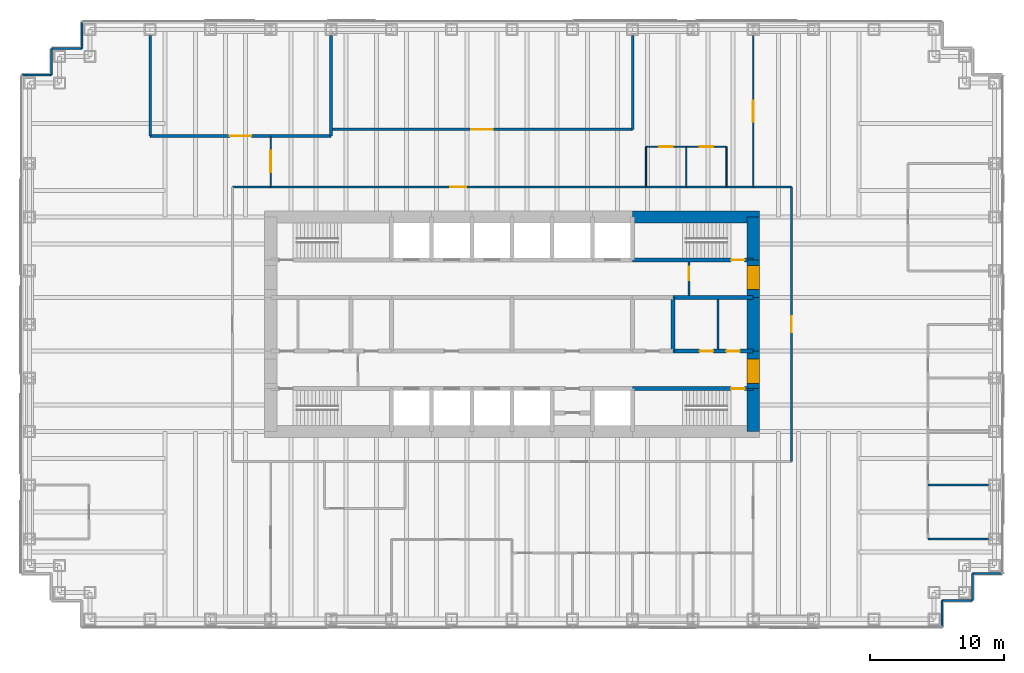
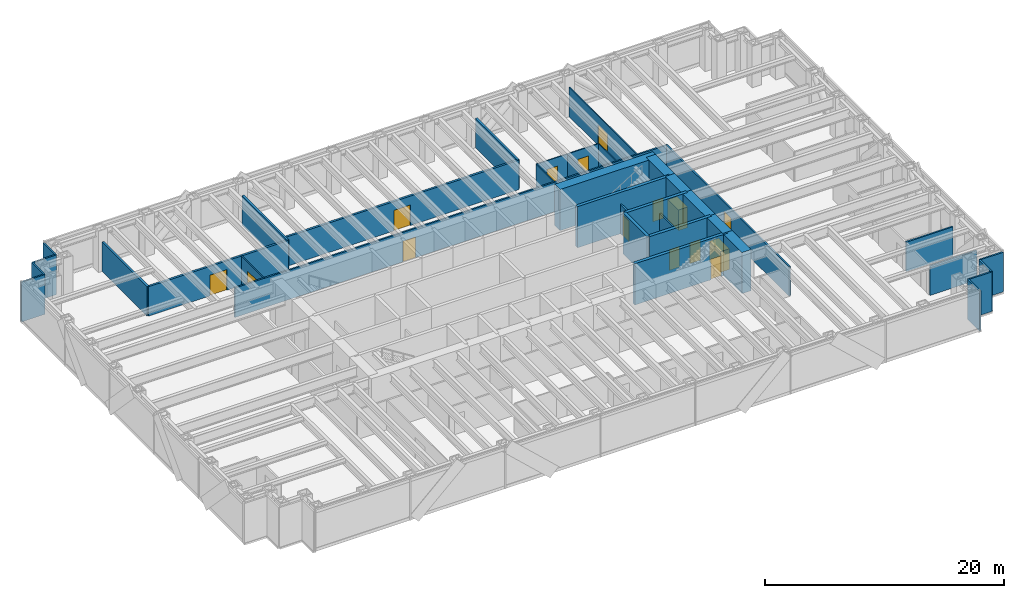
# One storey, part 13 of 15: 36 walls, 15 doors, 15 openings.
"""IFC4 building model written with IfcOpenShell, lengths in metres."""

from ifc_helpers import new_model, si_unit, direction, frame, frame_2d, origin, place, context, subcontext, project, spatial, rectangle, extrude, material, layer, layer_set, type_object, element, fill, save


model = new_model("IFC4")

# Units and contexts
model_context = context("Model", 3, precision=1e-05, world=origin(), true_north=direction((0.0, 1.0)))
body_context = subcontext(model_context, "Body", "Model", "MODEL_VIEW")
ifc_project = project(units=[si_unit("LENGTHUNIT", "METRE"), si_unit("AREAUNIT", "SQUARE_METRE"), si_unit("VOLUMEUNIT", "CUBIC_METRE"), si_unit("PLANEANGLEUNIT", "RADIAN"), si_unit("MASSUNIT", "GRAM", prefix="KILO")], contexts=[model_context])

# Site, building, storey
site_placement = place(None, origin())
site = spatial("IfcSite", under=ifc_project, at=site_placement, CompositionType="ELEMENT")
building_placement = place(site_placement, origin())
building = spatial("IfcBuilding", under=site, at=building_placement, Name="Rheinbord Bourse Tower", CompositionType="ELEMENT")
storey_placement = place(building_placement, frame((0.0, 0.0, 134.10009765625)))
storey = spatial("IfcBuildingStorey", under=building, at=storey_placement, Name="L29", CompositionType="ELEMENT", Elevation=134.10009765625)

# Wall, opening, door
ifc_material_1 = material(Name="Acoustic gypsum board partition", Category="gypsum board")
ifc_layer_1 = layer(ifc_material_1, 0.199951171875)
ifc_layer_set_1 = layer_set([ifc_layer_1], Name="ACOUSTIC PARTITION 200")
wall_type_1 = type_object("IfcWallType", Name="ACOUSTIC PARTITION 200", PredefinedType="PARTITIONING", material=ifc_layer_set_1)
wall_1_placement = place(storey_placement, frame((9.0, 38.050048828125, 0.0), z_axis=(0.0, 0.0, 1.0), x_axis=(1.0, 0.0, 0.0)))
wall_1 = element("IfcWall", 1, at=wall_1_placement, inside=storey, type_object=wall_type_1, Name="Partition L29-18", PredefinedType="PARTITIONING", context=body_context, shape_type="SweptSolid", body=[
    extrude(rectangle(XDim=13.5, YDim=0.199951171875, at=frame_2d((6.75, 0.0))), origin(), (0.0, 0.0, 1.0), 3.0),
])
opening_1_placement = place(wall_1_placement, frame((5.949951171875, 0.0, 0.0)))
opening_1 = element("IfcOpeningElement", 2, at=opening_1_placement, cuts=wall_1, Name="Opening 29D15", PredefinedType="OPENING", context=body_context, shape_type="SweptSolid", body=[
    extrude(rectangle(XDim=1.60009765625, YDim=2.10009765625, at=frame_2d((0.800048828125, 1.050048828125))), frame((0.0, 0.10986328125, 0.0), z_axis=(0.0, -1.0, 0.0), x_axis=(1.0, 0.0, 0.0)), (0.0, 0.0, 1.0), 0.219970703125),
])
ifc_material_2 = material(Name="Timber door", Category="wood")
door_type_1 = type_object("IfcDoorType", Name="DOUBLE ROOM DOOR 1600", OperationType="DOUBLE_DOOR_DOUBLE_SWING", PredefinedType="DOOR", material=ifc_material_2)
door_1_placement = place(opening_1_placement, origin())
door_1 = element("IfcDoor", 3, at=door_1_placement, inside=storey, type_object=door_type_1, Name="Index committee room door L29", OperationType="SINGLE_SWING_LEFT", OverallHeight=2.10009765625, OverallWidth=1.60009765625, PredefinedType="DOOR", context=body_context, shape_type="SweptSolid", body=[
    extrude(rectangle(XDim=1.60009765625, YDim=2.10009765625, at=frame_2d((0.800048828125, 1.050048828125))), frame((0.0, 0.02490234375, 0.0), z_axis=(0.0, -1.0, 0.0), x_axis=(1.0, 0.0, 0.0)), (0.0, 0.0, 1.0), 0.050048828125),
])
fill(opening_1, door_1)

wall_2_placement = place(storey_placement, frame((22.5, 38.550048828125, 0.0), z_axis=(0.0, 0.0, 1.0), x_axis=(1.0, 0.0, 0.0)))
wall_2 = element("IfcWall", 4, at=wall_2_placement, inside=storey, type_object=wall_type_1, Name="Partition L29-19", PredefinedType="PARTITIONING", context=body_context, shape_type="SweptSolid", body=[
    extrude(rectangle(XDim=22.5, YDim=0.199951171875, at=frame_2d((11.25, 0.0))), origin(), (0.0, 0.0, 1.0), 3.0),
])
opening_2_placement = place(wall_2_placement, frame((10.449951171875, 0.0, 0.0)))
opening_2 = element("IfcOpeningElement", 5, at=opening_2_placement, cuts=wall_2, Name="Opening 29D16", PredefinedType="OPENING", context=body_context, shape_type="SweptSolid", body=[
    extrude(rectangle(XDim=1.60009765625, YDim=2.10009765625, at=frame_2d((0.800048828125, 1.050048828125))), frame((0.0, 0.10986328125, 0.0), z_axis=(0.0, -1.0, 0.0), x_axis=(1.0, 0.0, 0.0)), (0.0, 0.0, 1.0), 0.219970703125),
])
door_2_placement = place(opening_2_placement, origin())
door_2 = element("IfcDoor", 6, at=door_2_placement, inside=storey, type_object=door_type_1, Name="Data operations room door L29", OperationType="SINGLE_SWING_LEFT", OverallHeight=2.10009765625, OverallWidth=1.60009765625, PredefinedType="DOOR", context=body_context, shape_type="SweptSolid", body=[
    extrude(rectangle(XDim=1.60009765625, YDim=2.10009765625, at=frame_2d((0.800048828125, 1.050048828125))), frame((0.0, 0.02490234375, 0.0), z_axis=(0.0, -1.0, 0.0), x_axis=(1.0, 0.0, 0.0)), (0.0, 0.0, 1.0), 0.050048828125),
])
fill(opening_2, door_2)

# Walls
for number, where, z_axis, x_axis, name in (
    (7, (9.0, 38.050048828125, 0.0), (0.0, 0.0, 1.0), (0.0, 1.0, 0.0), "Partition L29-21"),
    (8, (22.5, 38.050048828125, 0.0), (0.0, 0.0, 1.0), (0.0, 1.0, 0.0), "Partition L29-26"),
):
    element("IfcWall", number, at=place(storey_placement, frame(where, z_axis=z_axis, x_axis=x_axis)), inside=storey, type_object=wall_type_1, Name=name, PredefinedType="PARTITIONING", context=body_context, shape_type="SweptSolid", body=[
        extrude(rectangle(XDim=7.5, YDim=0.199951171875, at=frame_2d((3.75, 0.0))), origin(), (0.0, 0.0, 1.0), 3.0),
    ])
wall_3_placement = place(storey_placement, frame((45.0, 38.550048828125, 0.0), z_axis=(0.0, 0.0, 1.0), x_axis=(0.0, 1.0, 0.0)))
element("IfcWall", 9, at=wall_3_placement, inside=storey, type_object=wall_type_1, Name="Partition L29-33", PredefinedType="PARTITIONING", context=body_context, shape_type="SweptSolid", body=[
    extrude(rectangle(XDim=7.0, YDim=0.199951171875, at=frame_2d((3.5, 0.0))), origin(), (0.0, 0.0, 1.0), 3.0),
])

# Wall, opening, door
ifc_material_3 = material(Name="Concrete C50/60", Category="concrete")
ifc_layer_2 = layer(ifc_material_3, 0.300048828125)
ifc_layer_set_2 = layer_set([ifc_layer_2], Name="CORE INNER WALL 300")
wall_type_2 = type_object("IfcWallType", Name="CORE INNER WALL 300", PredefinedType="SOLIDWALL", material=ifc_layer_set_2)
wall_4_placement = place(storey_placement, frame((45.0, 19.199951171875, 0.0), z_axis=(0.0, 0.0, 1.0), x_axis=(1.0, 0.0, 0.0)))
wall_4 = element("IfcWall", 10, at=wall_4_placement, inside=storey, type_object=wall_type_2, Name="Core wall A8 L29", PredefinedType="SOLIDWALL", context=body_context, shape_type="SweptSolid", body=[
    extrude(rectangle(XDim=9.0, YDim=0.300048828125, at=frame_2d((4.5, 0.0))), origin(), (0.0, 0.0, 1.0), 4.199951171875),
])
opening_3_placement = place(wall_4_placement, frame((7.35009765625, 0.0, 0.0)))
opening_3 = element("IfcOpeningElement", 11, at=opening_3_placement, cuts=wall_4, Name="Opening 2930", PredefinedType="OPENING", context=body_context, shape_type="SweptSolid", body=[
    extrude(rectangle(XDim=1.0, YDim=2.10009765625, at=frame_2d((0.5, 1.050048828125))), frame((0.0, 0.159912109375, 0.0), z_axis=(0.0, -1.0, 0.0), x_axis=(1.0, 0.0, 0.0)), (0.0, 0.0, 1.0), 0.320068359375),
])
ifc_material_4 = material(Name="Steel door", Category="steel")
door_type_2 = type_object("IfcDoorType", Name="DOOR 1000 EI30", OperationType="SINGLE_SWING_LEFT", PredefinedType="DOOR", material=ifc_material_4)
door_3_placement = place(opening_3_placement, origin())
door_3 = element("IfcDoor", 12, at=door_3_placement, inside=storey, type_object=door_type_2, Name="Stair door ST3 L29", OperationType="SINGLE_SWING_RIGHT", OverallHeight=2.10009765625, OverallWidth=1.0, PredefinedType="DOOR", context=body_context, shape_type="SweptSolid", body=[
    extrude(rectangle(XDim=1.0, YDim=2.10009765625, at=frame_2d((0.5, 1.050048828125))), frame((0.0, 0.02490234375, 0.0), z_axis=(0.0, -1.0, 0.0), x_axis=(1.0, 0.0, 0.0)), (0.0, 0.0, 1.0), 0.050048828125),
])
fill(opening_3, door_3)

wall_5_placement = place(storey_placement, frame((45.0, 28.800048828125, 0.0), z_axis=(0.0, 0.0, 1.0), x_axis=(1.0, 0.0, 0.0)))
wall_5 = element("IfcWall", 13, at=wall_5_placement, inside=storey, type_object=wall_type_2, Name="Core wall B8 L29", PredefinedType="SOLIDWALL", context=body_context, shape_type="SweptSolid", body=[
    extrude(rectangle(XDim=9.0, YDim=0.300048828125, at=frame_2d((4.5, 0.0))), origin(), (0.0, 0.0, 1.0), 4.199951171875),
])
opening_4_placement = place(wall_5_placement, frame((7.35009765625, 0.0, 0.0)))
opening_4 = element("IfcOpeningElement", 14, at=opening_4_placement, cuts=wall_5, Name="Opening 2940", PredefinedType="OPENING", context=body_context, shape_type="SweptSolid", body=[
    extrude(rectangle(XDim=1.0, YDim=2.10009765625, at=frame_2d((0.5, 1.050048828125))), frame((0.0, 0.159912109375, 0.0), z_axis=(0.0, -1.0, 0.0), x_axis=(1.0, 0.0, 0.0)), (0.0, 0.0, 1.0), 0.320068359375),
])
door_4_placement = place(opening_4_placement, origin())
door_4 = element("IfcDoor", 15, at=door_4_placement, inside=storey, type_object=door_type_2, Name="Stair door ST4 L29", OperationType="SINGLE_SWING_RIGHT", OverallHeight=2.10009765625, OverallWidth=1.0, PredefinedType="DOOR", context=body_context, shape_type="SweptSolid", body=[
    extrude(rectangle(XDim=1.0, YDim=2.10009765625, at=frame_2d((0.5, 1.050048828125))), frame((0.0, 0.02490234375, 0.0), z_axis=(0.0, -1.0, 0.0), x_axis=(1.0, 0.0, 0.0)), (0.0, 0.0, 1.0), 0.050048828125),
])
fill(opening_4, door_4)

# Wall, openings, doors
wall_6_placement = place(storey_placement, frame((48.0, 22.0, 0.0), z_axis=(0.0, 0.0, 1.0), x_axis=(1.0, 0.0, 0.0)))
wall_6 = element("IfcWall", 16, at=wall_6_placement, inside=storey, type_object=wall_type_2, Name="Core wall C6 L29", PredefinedType="SOLIDWALL", context=body_context, shape_type="SweptSolid", body=[
    extrude(rectangle(XDim=6.0, YDim=0.300048828125, at=frame_2d((3.0, 0.0))), origin(), (0.0, 0.0, 1.0), 4.199951171875),
])
opening_5_placement = place(wall_6_placement, frame((2.0, 0.0, 0.0)))
opening_5 = element("IfcOpeningElement", 17, at=opening_5_placement, cuts=wall_6, Name="Opening 29R6", PredefinedType="OPENING", context=body_context, shape_type="SweptSolid", body=[
    extrude(rectangle(XDim=1.0, YDim=2.10009765625, at=frame_2d((0.5, 1.050048828125))), frame((0.0, 0.159912109375, 0.0), z_axis=(0.0, -1.0, 0.0), x_axis=(1.0, 0.0, 0.0)), (0.0, 0.0, 1.0), 0.320068359375),
])
opening_6_placement = place(wall_6_placement, frame((4.0, 0.0, 0.0)))
opening_6 = element("IfcOpeningElement", 18, at=opening_6_placement, cuts=wall_6, Name="Opening 29R10", PredefinedType="OPENING", context=body_context, shape_type="SweptSolid", body=[
    extrude(rectangle(XDim=1.0, YDim=2.10009765625, at=frame_2d((0.5, 1.050048828125))), frame((0.0, 0.159912109375, 0.0), z_axis=(0.0, -1.0, 0.0), x_axis=(1.0, 0.0, 0.0)), (0.0, 0.0, 1.0), 0.320068359375),
])
door_5_placement = place(opening_6_placement, origin())
door_5 = element("IfcDoor", 19, at=door_5_placement, inside=storey, type_object=door_type_2, Name="Cleaner's store door L29", OperationType="SINGLE_SWING_RIGHT", OverallHeight=2.10009765625, OverallWidth=1.0, PredefinedType="DOOR", context=body_context, shape_type="SweptSolid", body=[
    extrude(rectangle(XDim=1.0, YDim=2.10009765625, at=frame_2d((0.5, 1.050048828125))), frame((0.0, 0.02490234375, 0.0), z_axis=(0.0, -1.0, 0.0), x_axis=(1.0, 0.0, 0.0)), (0.0, 0.0, 1.0), 0.050048828125),
])
fill(opening_6, door_5)
ifc_material_5 = material(Name="Timber door", Category="wood")
door_type_3 = type_object("IfcDoorType", Name="DOOR 1000 WC", OperationType="SINGLE_SWING_LEFT", PredefinedType="DOOR", material=ifc_material_5)
door_6_placement = place(opening_5_placement, origin())
door_6 = element("IfcDoor", 20, at=door_6_placement, inside=storey, type_object=door_type_3, Name="WC women door L29", OperationType="SINGLE_SWING_LEFT", OverallHeight=2.10009765625, OverallWidth=1.0, PredefinedType="DOOR", context=body_context, shape_type="SweptSolid", body=[
    extrude(rectangle(XDim=1.0, YDim=2.10009765625, at=frame_2d((0.5, 1.050048828125))), frame((0.0, 0.02490234375, 0.0), z_axis=(0.0, -1.0, 0.0), x_axis=(1.0, 0.0, 0.0)), (0.0, 0.0, 1.0), 0.050048828125),
])
fill(opening_5, door_6)

# Walls
wall_7_placement = place(storey_placement, frame((48.0, 26.0, 0.0), z_axis=(0.0, 0.0, 1.0), x_axis=(1.0, 0.0, 0.0)))
element("IfcWall", 21, at=wall_7_placement, inside=storey, type_object=wall_type_2, Name="Core wall D6 L29", PredefinedType="SOLIDWALL", context=body_context, shape_type="SweptSolid", body=[
    extrude(rectangle(XDim=6.0, YDim=0.300048828125, at=frame_2d((3.0, 0.0))), origin(), (0.0, 0.0, 1.0), 4.199951171875),
])
wall_8_placement = place(storey_placement, frame((48.0, 22.0, 0.0), z_axis=(0.0, 0.0, 1.0), x_axis=(0.0, 1.0, 0.0)))
element("IfcWall", 22, at=wall_8_placement, inside=storey, type_object=wall_type_2, Name="Core wall MX48 L29", PredefinedType="SOLIDWALL", context=body_context, shape_type="SweptSolid", body=[
    extrude(rectangle(XDim=4.0, YDim=0.300048828125, at=frame_2d((2.0, 0.0))), origin(), (0.0, 0.0, 1.0), 4.199951171875),
])
ifc_material_6 = material(Name="Gypsum board fire partition", Category="gypsum board")
ifc_layer_3 = layer(ifc_material_6, 0.14990234375)
ifc_layer_set_3 = layer_set([ifc_layer_3], Name="CORE PARTITION 150 EI30")
wall_type_3 = type_object("IfcWallType", Name="CORE PARTITION 150 EI30", PredefinedType="PARTITIONING", material=ifc_layer_set_3)
wall_9_placement = place(storey_placement, frame((51.375, 22.14990234375, 0.0), z_axis=(0.0, 0.0, 1.0), x_axis=(0.0, 1.0, 0.0)))
element("IfcWall", 23, at=wall_9_placement, inside=storey, type_object=wall_type_3, Name="Core partition L29-3", PredefinedType="PARTITIONING", context=body_context, shape_type="SweptSolid", body=[
    extrude(rectangle(XDim=3.7001953125, YDim=0.14990234375, at=frame_2d((1.85009765625, 0.0))), origin(), (0.0, 0.0, 1.0), 3.0),
])

# Wall, opening, door
wall_10_placement = place(storey_placement, frame((49.199951171875, 26.14990234375, 0.0), z_axis=(0.0, 0.0, 1.0), x_axis=(0.0, 1.0, 0.0)))
wall_10 = element("IfcWall", 24, at=wall_10_placement, inside=storey, type_object=wall_type_3, Name="Core partition L29-5", PredefinedType="PARTITIONING", context=body_context, shape_type="SweptSolid", body=[
    extrude(rectangle(XDim=2.5, YDim=0.14990234375, at=frame_2d((1.25, 0.0))), origin(), (0.0, 0.0, 1.0), 3.0),
])
opening_7_placement = place(wall_10_placement, frame((1.14990234375, 0.0, 0.0)))
opening_7 = element("IfcOpeningElement", 25, at=opening_7_placement, cuts=wall_10, Name="Opening 29L6", PredefinedType="OPENING", context=body_context, shape_type="SweptSolid", body=[
    extrude(rectangle(XDim=1.0, YDim=2.10009765625, at=frame_2d((0.5, 1.050048828125))), frame((0.0, 0.0849609375, 0.0), z_axis=(0.0, -1.0, 0.0), x_axis=(1.0, 0.0, 0.0)), (0.0, 0.0, 1.0), 0.169921875),
])
door_7_placement = place(opening_7_placement, origin())
door_7 = element("IfcDoor", 26, at=door_7_placement, inside=storey, type_object=door_type_2, Name="Stair lobby door L29", OperationType="SINGLE_SWING_RIGHT", OverallHeight=2.10009765625, OverallWidth=1.0, PredefinedType="DOOR", context=body_context, shape_type="SweptSolid", body=[
    extrude(rectangle(XDim=1.0, YDim=2.10009765625, at=frame_2d((0.5, 1.050048828125))), frame((0.0, 0.02490234375, 0.0), z_axis=(0.0, -1.0, 0.0), x_axis=(1.0, 0.0, 0.0)), (0.0, 0.0, 1.0), 0.050048828125),
])
fill(opening_7, door_7)

# Walls
ifc_material_7 = material(Name="Concrete C50/60", Category="concrete")
ifc_layer_4 = layer(ifc_material_7, 0.89990234375)
ifc_layer_set_4 = layer_set([ifc_layer_4], Name="CORE WALL 900")
wall_type_4 = type_object("IfcWallType", Name="CORE WALL 900", PredefinedType="SHEAR", material=ifc_layer_set_4)
wall_11_placement = place(storey_placement, frame((54.449951171875, 32.0, 0.0), z_axis=(0.0, 0.0, 1.0), x_axis=(-1.0, 0.0, 0.0)))
element("IfcWall", 27, at=wall_11_placement, inside=storey, type_object=wall_type_4, Name="Core wall N1 L29", PredefinedType="SHEAR", context=body_context, shape_type="SweptSolid", body=[
    extrude(rectangle(XDim=9.449951171875, YDim=0.89990234375, at=frame_2d((4.72509765625, 0.0))), origin(), (0.0, 0.0, 1.0), 4.199951171875),
])
wall_12_placement = place(storey_placement, frame((54.0, 16.0, 0.0), z_axis=(0.0, 0.0, 1.0), x_axis=(0.0, 1.0, 0.0)))
element("IfcWall", 28, at=wall_12_placement, inside=storey, type_object=wall_type_4, Name="Core wall E1 L29", PredefinedType="SHEAR", context=body_context, shape_type="SweptSolid", body=[
    extrude(rectangle(XDim=3.199951171875, YDim=0.89990234375, at=frame_2d((1.60009765625, 0.0))), origin(), (0.0, 0.0, 1.0), 4.199951171875),
])

# Wall, opening, door
wall_13_placement = place(storey_placement, frame((54.0, 19.199951171875, 0.0), z_axis=(0.0, 0.0, 1.0), x_axis=(0.0, 1.0, 0.0)))
wall_13 = element("IfcWall", 29, at=wall_13_placement, inside=storey, type_object=wall_type_4, Name="Core wall E2 L29", PredefinedType="SHEAR", context=body_context, shape_type="SweptSolid", body=[
    extrude(rectangle(XDim=2.800048828125, YDim=0.89990234375, at=frame_2d((1.39990234375, 0.0))), origin(), (0.0, 0.0, 1.0), 4.199951171875),
])
opening_8_placement = place(wall_13_placement, frame((0.39990234375, 0.0, 0.0)))
opening_8 = element("IfcOpeningElement", 30, at=opening_8_placement, cuts=wall_13, Name="Opening 29L3", PredefinedType="OPENING", context=body_context, shape_type="SweptSolid", body=[
    extrude(rectangle(XDim=1.800048828125, YDim=2.10009765625, at=frame_2d((0.89990234375, 1.050048828125))), frame((0.0, 0.4599609375, 0.0), z_axis=(0.0, -1.0, 0.0), x_axis=(1.0, 0.0, 0.0)), (0.0, 0.0, 1.0), 0.919921875),
])
ifc_material_8 = material(Name="Steel door", Category="steel")
door_type_4 = type_object("IfcDoorType", Name="DOOR 1800 EI30 DOUBLE", OperationType="DOUBLE_DOOR_DOUBLE_SWING", PredefinedType="DOOR", material=ifc_material_8)
door_8_placement = place(opening_8_placement, origin())
door_8 = element("IfcDoor", 31, at=door_8_placement, inside=storey, type_object=door_type_4, Name="Lobby door 3 L29", OperationType="SINGLE_SWING_LEFT", OverallHeight=2.10009765625, OverallWidth=1.800048828125, PredefinedType="DOOR", context=body_context, shape_type="SweptSolid", body=[
    extrude(rectangle(XDim=1.800048828125, YDim=2.10009765625, at=frame_2d((0.89990234375, 1.050048828125))), frame((0.0, 0.44970703125, 0.0), z_axis=(0.0, -1.0, 0.0), x_axis=(1.0, 0.0, 0.0)), (0.0, 0.0, 1.0), 0.8994140625),
])
fill(opening_8, door_8)

# Wall
wall_14_placement = place(storey_placement, frame((54.0, 22.0, 0.0), z_axis=(0.0, 0.0, 1.0), x_axis=(0.0, 1.0, 0.0)))
element("IfcWall", 32, at=wall_14_placement, inside=storey, type_object=wall_type_4, Name="Core wall E3 L29", PredefinedType="SHEAR", context=body_context, shape_type="SweptSolid", body=[
    extrude(rectangle(XDim=4.0, YDim=0.89990234375, at=frame_2d((2.0, 0.0))), origin(), (0.0, 0.0, 1.0), 4.199951171875),
])

# Wall, opening, door
wall_15_placement = place(storey_placement, frame((54.0, 26.0, 0.0), z_axis=(0.0, 0.0, 1.0), x_axis=(0.0, 1.0, 0.0)))
wall_15 = element("IfcWall", 33, at=wall_15_placement, inside=storey, type_object=wall_type_4, Name="Core wall E4 L29", PredefinedType="SHEAR", context=body_context, shape_type="SweptSolid", body=[
    extrude(rectangle(XDim=2.800048828125, YDim=0.89990234375, at=frame_2d((1.39990234375, 0.0))), origin(), (0.0, 0.0, 1.0), 4.199951171875),
])
opening_9_placement = place(wall_15_placement, frame((0.60009765625, 0.0, 0.0)))
opening_9 = element("IfcOpeningElement", 34, at=opening_9_placement, cuts=wall_15, Name="Opening 29L4", PredefinedType="OPENING", context=body_context, shape_type="SweptSolid", body=[
    extrude(rectangle(XDim=1.800048828125, YDim=2.10009765625, at=frame_2d((0.89990234375, 1.050048828125))), frame((0.0, 0.4599609375, 0.0), z_axis=(0.0, -1.0, 0.0), x_axis=(1.0, 0.0, 0.0)), (0.0, 0.0, 1.0), 0.919921875),
])
door_9_placement = place(opening_9_placement, origin())
door_9 = element("IfcDoor", 35, at=door_9_placement, inside=storey, type_object=door_type_4, Name="Lobby door 4 L29", OperationType="SINGLE_SWING_LEFT", OverallHeight=2.10009765625, OverallWidth=1.800048828125, PredefinedType="DOOR", context=body_context, shape_type="SweptSolid", body=[
    extrude(rectangle(XDim=1.800048828125, YDim=2.10009765625, at=frame_2d((0.89990234375, 1.050048828125))), frame((0.0, 0.44970703125, 0.0), z_axis=(0.0, -1.0, 0.0), x_axis=(1.0, 0.0, 0.0)), (0.0, 0.0, 1.0), 0.8994140625),
])
fill(opening_9, door_9)

# Walls
wall_16_placement = place(storey_placement, frame((54.0, 28.800048828125, 0.0), z_axis=(0.0, 0.0, 1.0), x_axis=(0.0, 1.0, 0.0)))
element("IfcWall", 36, at=wall_16_placement, inside=storey, type_object=wall_type_4, Name="Core wall E5 L29", PredefinedType="SHEAR", context=body_context, shape_type="SweptSolid", body=[
    extrude(rectangle(XDim=3.199951171875, YDim=0.89990234375, at=frame_2d((1.60009765625, 0.0))), origin(), (0.0, 0.0, 1.0), 4.199951171875),
])
ifc_material_9 = material(Name="Black metal rainscreen panel", Category="aluminium")
ifc_layer_5 = layer(ifc_material_9, 0.14990234375)
ifc_layer_set_5 = layer_set([ifc_layer_5], Name="CORNER PIER CLADDING 150")
wall_type_5 = type_object("IfcWallType", Name="CORNER PIER CLADDING 150", PredefinedType="ELEMENTEDWALL", material=ifc_layer_set_5)
wall_17_placement = place(storey_placement, frame((68.10009765625, 1.39990234375, 0.0), z_axis=(0.0, 0.0, 1.0), x_axis=(0.0, 1.0, 0.0)))
element("IfcWall", 37, at=wall_17_placement, inside=storey, type_object=wall_type_5, Name="Corner pier cladding L29 2", PredefinedType="ELEMENTEDWALL", context=body_context, shape_type="SweptSolid", body=[
    extrude(rectangle(XDim=2.0, YDim=0.14990234375, at=frame_2d((1.0, 0.0))), origin(), (0.0, 0.0, 1.0), 4.039794921875),
])
wall_18_placement = place(storey_placement, frame((68.10009765625, 3.39990234375, 0.0), z_axis=(0.0, 0.0, 1.0), x_axis=(1.0, 0.0, 0.0)))
element("IfcWall", 38, at=wall_18_placement, inside=storey, type_object=wall_type_5, Name="Corner pier cladding L29 3", PredefinedType="ELEMENTEDWALL", context=body_context, shape_type="SweptSolid", body=[
    extrude(rectangle(XDim=2.25, YDim=0.14990234375, at=frame_2d((1.125, 0.0))), origin(), (0.0, 0.0, 1.0), 4.039794921875),
])
wall_19_placement = place(storey_placement, frame((70.35009765625, 3.39990234375, 0.0), z_axis=(0.0, 0.0, 1.0), x_axis=(0.0, 1.0, 0.0)))
element("IfcWall", 39, at=wall_19_placement, inside=storey, type_object=wall_type_5, Name="Corner pier cladding L29 4", PredefinedType="ELEMENTEDWALL", context=body_context, shape_type="SweptSolid", body=[
    extrude(rectangle(XDim=2.0, YDim=0.14990234375, at=frame_2d((1.0, 0.0))), origin(), (0.0, 0.0, 1.0), 4.039794921875),
])
wall_20_placement = place(storey_placement, frame((70.35009765625, 5.39990234375, 0.0), z_axis=(0.0, 0.0, 1.0), x_axis=(1.0, 0.0, 0.0)))
element("IfcWall", 40, at=wall_20_placement, inside=storey, type_object=wall_type_5, Name="Corner pier cladding L29 5", PredefinedType="ELEMENTEDWALL", context=body_context, shape_type="SweptSolid", body=[
    extrude(rectangle(XDim=2.25, YDim=0.14990234375, at=frame_2d((1.125, 0.0))), origin(), (0.0, 0.0, 1.0), 4.039794921875),
])
wall_21_placement = place(storey_placement, frame((3.89990234375, 46.60009765625, 0.0), z_axis=(0.0, 0.0, 1.0), x_axis=(0.0, -1.0, 0.0)))
element("IfcWall", 41, at=wall_21_placement, inside=storey, type_object=wall_type_5, Name="Corner pier cladding L29 12", PredefinedType="ELEMENTEDWALL", context=body_context, shape_type="SweptSolid", body=[
    extrude(rectangle(XDim=2.0, YDim=0.14990234375, at=frame_2d((1.0, 0.0))), origin(), (0.0, 0.0, 1.0), 4.039794921875),
])
wall_22_placement = place(storey_placement, frame((3.89990234375, 44.60009765625, 0.0), z_axis=(0.0, 0.0, 1.0), x_axis=(-1.0, 0.0, 0.0)))
element("IfcWall", 42, at=wall_22_placement, inside=storey, type_object=wall_type_5, Name="Corner pier cladding L29 13", PredefinedType="ELEMENTEDWALL", context=body_context, shape_type="SweptSolid", body=[
    extrude(rectangle(XDim=2.25, YDim=0.14990234375, at=frame_2d((1.125, 0.0))), origin(), (0.0, 0.0, 1.0), 4.039794921875),
])
wall_23_placement = place(storey_placement, frame((1.64990234375, 44.60009765625, 0.0), z_axis=(0.0, 0.0, 1.0), x_axis=(0.0, -1.0, 0.0)))
element("IfcWall", 43, at=wall_23_placement, inside=storey, type_object=wall_type_5, Name="Corner pier cladding L29 14", PredefinedType="ELEMENTEDWALL", context=body_context, shape_type="SweptSolid", body=[
    extrude(rectangle(XDim=2.0, YDim=0.14990234375, at=frame_2d((1.0, 0.0))), origin(), (0.0, 0.0, 1.0), 4.039794921875),
])
wall_24_placement = place(storey_placement, frame((1.64990234375, 42.60009765625, 0.0), z_axis=(0.0, 0.0, 1.0), x_axis=(-1.0, 0.0, 0.0)))
element("IfcWall", 44, at=wall_24_placement, inside=storey, type_object=wall_type_5, Name="Corner pier cladding L29 15", PredefinedType="ELEMENTEDWALL", context=body_context, shape_type="SweptSolid", body=[
    extrude(rectangle(XDim=2.25, YDim=0.14990234375, at=frame_2d((1.125, 0.0))), origin(), (0.0, 0.0, 1.0), 4.039794921875),
])

# Wall, opening, door
ifc_material_10 = material(Name="Gypsum board corridor partition", Category="gypsum board")
ifc_layer_6 = layer(ifc_material_10, 0.14990234375)
ifc_layer_set_6 = layer_set([ifc_layer_6], Name="CORRIDOR PARTITION 150 EI30")
wall_type_6 = type_object("IfcWallType", Name="CORRIDOR PARTITION 150 EI30", PredefinedType="PARTITIONING", material=ifc_layer_set_6)
wall_25_placement = place(storey_placement, frame((15.14990234375, 34.25, 0.0), z_axis=(0.0, 0.0, 1.0), x_axis=(1.0, 0.0, 0.0)))
wall_25 = element("IfcWall", 45, at=wall_25_placement, inside=storey, type_object=wall_type_6, Name="Partition L29-15", PredefinedType="PARTITIONING", context=body_context, shape_type="SweptSolid", body=[
    extrude(rectangle(XDim=41.7001953125, YDim=0.14990234375, at=frame_2d((20.85009765625, 0.0))), origin(), (0.0, 0.0, 1.0), 3.0),
])
opening_10_placement = place(wall_25_placement, frame((16.22509765625, 0.0, 0.0)))
opening_10 = element("IfcOpeningElement", 46, at=opening_10_placement, cuts=wall_25, Name="Opening 29D24", PredefinedType="OPENING", context=body_context, shape_type="SweptSolid", body=[
    extrude(rectangle(XDim=1.199951171875, YDim=2.10009765625, at=frame_2d((0.60009765625, 1.050048828125))), frame((0.0, 0.0849609375, 0.0), z_axis=(0.0, -1.0, 0.0), x_axis=(1.0, 0.0, 0.0)), (0.0, 0.0, 1.0), 0.169921875),
])
ifc_material_11 = material(Name="Timber fire door", Category="wood")
door_type_5 = type_object("IfcDoorType", Name="SUITE ENTRANCE DOOR 1200 EI30", OperationType="SINGLE_SWING_LEFT", PredefinedType="DOOR", material=ifc_material_11)
door_10_placement = place(opening_10_placement, origin())
door_10 = element("IfcDoor", 47, at=door_10_placement, inside=storey, type_object=door_type_5, Name="Suite entrance 4 door L29", OperationType="SINGLE_SWING_LEFT", OverallHeight=2.10009765625, OverallWidth=1.199951171875, PredefinedType="DOOR", context=body_context, shape_type="SweptSolid", body=[
    extrude(rectangle(XDim=1.199951171875, YDim=2.10009765625, at=frame_2d((0.60009765625, 1.050048828125))), frame((0.0, 0.02490234375, 0.0), z_axis=(0.0, -1.0, 0.0), x_axis=(1.0, 0.0, 0.0)), (0.0, 0.0, 1.0), 0.050048828125),
])
fill(opening_10, door_10)

wall_26_placement = place(storey_placement, frame((56.85009765625, 13.75, 0.0), z_axis=(0.0, 0.0, 1.0), x_axis=(0.0, 1.0, 0.0)))
wall_26 = element("IfcWall", 48, at=wall_26_placement, inside=storey, type_object=wall_type_6, Name="Partition L29-41", PredefinedType="PARTITIONING", context=body_context, shape_type="SweptSolid", body=[
    extrude(rectangle(XDim=20.5, YDim=0.14990234375, at=frame_2d((10.25, 0.0))), origin(), (0.0, 0.0, 1.0), 3.0),
])
opening_11_placement = place(wall_26_placement, frame((9.64990234375, 0.0, 0.0)))
opening_11 = element("IfcOpeningElement", 49, at=opening_11_placement, cuts=wall_26, Name="Opening 29D22", PredefinedType="OPENING", context=body_context, shape_type="SweptSolid", body=[
    extrude(rectangle(XDim=1.199951171875, YDim=2.10009765625, at=frame_2d((0.60009765625, 1.050048828125))), frame((0.0, 0.0849609375, 0.0), z_axis=(0.0, -1.0, 0.0), x_axis=(1.0, 0.0, 0.0)), (0.0, 0.0, 1.0), 0.169921875),
])
door_11_placement = place(opening_11_placement, origin())
door_11 = element("IfcDoor", 50, at=door_11_placement, inside=storey, type_object=door_type_5, Name="Suite entrance 2 door L29", OperationType="SINGLE_SWING_LEFT", OverallHeight=2.10009765625, OverallWidth=1.199951171875, PredefinedType="DOOR", context=body_context, shape_type="SweptSolid", body=[
    extrude(rectangle(XDim=1.199951171875, YDim=2.10009765625, at=frame_2d((0.60009765625, 1.050048828125))), frame((0.0, 0.02490234375, 0.0), z_axis=(0.0, -1.0, 0.0), x_axis=(1.0, 0.0, 0.0)), (0.0, 0.0, 1.0), 0.050048828125),
])
fill(opening_11, door_11)

# Wall, openings, doors
ifc_material_12 = material(Name="Toughened laminated glass partition", Category="glass")
ifc_layer_7 = layer(ifc_material_12, 0.10009765625)
ifc_layer_set_7 = layer_set([ifc_layer_7], Name="GLAZED PARTITION 100")
wall_type_7 = type_object("IfcWallType", Name="GLAZED PARTITION 100", PredefinedType="PARTITIONING", material=ifc_layer_set_7)
wall_27_placement = place(storey_placement, frame((46.0, 37.25, 0.0), z_axis=(0.0, 0.0, 1.0), x_axis=(1.0, 0.0, 0.0)))
wall_27 = element("IfcWall", 51, at=wall_27_placement, inside=storey, type_object=wall_type_7, Name="Partition L29-17", PredefinedType="PARTITIONING", context=body_context, shape_type="SweptSolid", body=[
    extrude(rectangle(XDim=6.0, YDim=0.10009765625, at=frame_2d((3.0, 0.0))), origin(), (0.0, 0.0, 1.0), 3.0),
])
opening_12_placement = place(wall_27_placement, frame((1.0, 0.0, 0.0)))
opening_12 = element("IfcOpeningElement", 52, at=opening_12_placement, cuts=wall_27, Name="Opening 29D13", PredefinedType="OPENING", context=body_context, shape_type="SweptSolid", body=[
    extrude(rectangle(XDim=1.0, YDim=2.10009765625, at=frame_2d((0.5, 1.050048828125))), frame((0.0, 0.06005859375, 0.0), z_axis=(0.0, -1.0, 0.0), x_axis=(1.0, 0.0, 0.0)), (0.0, 0.0, 1.0), 0.1201171875),
])
opening_13_placement = place(wall_27_placement, frame((4.0, 0.0, 0.0)))
opening_13 = element("IfcOpeningElement", 53, at=opening_13_placement, cuts=wall_27, Name="Opening 29D14", PredefinedType="OPENING", context=body_context, shape_type="SweptSolid", body=[
    extrude(rectangle(XDim=1.0, YDim=2.10009765625, at=frame_2d((0.5, 1.050048828125))), frame((0.0, 0.06005859375, 0.0), z_axis=(0.0, -1.0, 0.0), x_axis=(1.0, 0.0, 0.0)), (0.0, 0.0, 1.0), 0.1201171875),
])
ifc_material_13 = material(Name="Timber door", Category="wood")
door_type_6 = type_object("IfcDoorType", Name="ROOM DOOR 1000", OperationType="SINGLE_SWING_LEFT", PredefinedType="DOOR", material=ifc_material_13)
door_12_placement = place(opening_12_placement, origin())
door_12 = element("IfcDoor", 54, at=door_12_placement, inside=storey, type_object=door_type_6, Name="Quiet room door L29", OperationType="SINGLE_SWING_LEFT", OverallHeight=2.10009765625, OverallWidth=1.0, PredefinedType="DOOR", context=body_context, shape_type="SweptSolid", body=[
    extrude(rectangle(XDim=1.0, YDim=2.10009765625, at=frame_2d((0.5, 1.050048828125))), frame((0.0, 0.02490234375, 0.0), z_axis=(0.0, -1.0, 0.0), x_axis=(1.0, 0.0, 0.0)), (0.0, 0.0, 1.0), 0.050048828125),
])
fill(opening_12, door_12)
door_13_placement = place(opening_13_placement, origin())
door_13 = element("IfcDoor", 55, at=door_13_placement, inside=storey, type_object=door_type_6, Name="Quiet room door L29", OperationType="SINGLE_SWING_RIGHT", OverallHeight=2.10009765625, OverallWidth=1.0, PredefinedType="DOOR", context=body_context, shape_type="SweptSolid", body=[
    extrude(rectangle(XDim=1.0, YDim=2.10009765625, at=frame_2d((0.5, 1.050048828125))), frame((0.0, 0.02490234375, 0.0), z_axis=(0.0, -1.0, 0.0), x_axis=(1.0, 0.0, 0.0)), (0.0, 0.0, 1.0), 0.050048828125),
])
fill(opening_13, door_13)

# Wall, opening, door
wall_28_placement = place(storey_placement, frame((18.0, 34.25, 0.0), z_axis=(0.0, 0.0, 1.0), x_axis=(0.0, 1.0, 0.0)))
wall_28 = element("IfcWall", 56, at=wall_28_placement, inside=storey, type_object=wall_type_7, Name="Partition L29-24", PredefinedType="PARTITIONING", context=body_context, shape_type="SweptSolid", body=[
    extrude(rectangle(XDim=3.800048828125, YDim=0.10009765625, at=frame_2d((1.89990234375, 0.0))), origin(), (0.0, 0.0, 1.0), 3.0),
])
opening_14_placement = place(wall_28_placement, frame((1.10009765625, 0.0, 0.0)))
opening_14 = element("IfcOpeningElement", 57, at=opening_14_placement, cuts=wall_28, Name="Opening 29D18", PredefinedType="OPENING", context=body_context, shape_type="SweptSolid", body=[
    extrude(rectangle(XDim=1.60009765625, YDim=2.10009765625, at=frame_2d((0.800048828125, 1.050048828125))), frame((0.0, 0.06005859375, 0.0), z_axis=(0.0, -1.0, 0.0), x_axis=(1.0, 0.0, 0.0)), (0.0, 0.0, 1.0), 0.1201171875),
])
door_14_placement = place(opening_14_placement, origin())
door_14 = element("IfcDoor", 58, at=door_14_placement, inside=storey, type_object=door_type_1, Name="Open area door L29", OperationType="SINGLE_SWING_LEFT", OverallHeight=2.10009765625, OverallWidth=1.60009765625, PredefinedType="DOOR", context=body_context, shape_type="SweptSolid", body=[
    extrude(rectangle(XDim=1.60009765625, YDim=2.10009765625, at=frame_2d((0.800048828125, 1.050048828125))), frame((0.0, 0.02490234375, 0.0), z_axis=(0.0, -1.0, 0.0), x_axis=(1.0, 0.0, 0.0)), (0.0, 0.0, 1.0), 0.050048828125),
])
fill(opening_14, door_14)

# Walls
for number, where, z_axis, x_axis, name in (
    (59, (46.0, 34.25, 0.0), (0.0, 0.0, 1.0), (0.0, 1.0, 0.0), "Partition L29-34"),
    (60, (49.0, 34.25, 0.0), (0.0, 0.0, 1.0), (0.0, 1.0, 0.0), "Partition L29-35"),
    (61, (52.0, 34.25, 0.0), (0.0, 0.0, 1.0), (0.0, 1.0, 0.0), "Partition L29-37"),
):
    element("IfcWall", number, at=place(storey_placement, frame(where, z_axis=z_axis, x_axis=x_axis)), inside=storey, type_object=wall_type_7, Name=name, PredefinedType="PARTITIONING", context=body_context, shape_type="SweptSolid", body=[
        extrude(rectangle(XDim=3.0, YDim=0.10009765625, at=frame_2d((1.5, 0.0))), origin(), (0.0, 0.0, 1.0), 3.0),
    ])

# Wall, opening, door
wall_29_placement = place(storey_placement, frame((54.0, 34.25, 0.0), z_axis=(0.0, 0.0, 1.0), x_axis=(0.0, 1.0, 0.0)))
wall_29 = element("IfcWall", 62, at=wall_29_placement, inside=storey, type_object=wall_type_7, Name="Partition L29-40", PredefinedType="PARTITIONING", context=body_context, shape_type="SweptSolid", body=[
    extrude(rectangle(XDim=11.300048828125, YDim=0.10009765625, at=frame_2d((5.64990234375, 0.0))), origin(), (0.0, 0.0, 1.0), 3.0),
])
opening_15_placement = place(wall_29_placement, frame((4.85009765625, 0.0, 0.0)))
opening_15 = element("IfcOpeningElement", 63, at=opening_15_placement, cuts=wall_29, Name="Opening 29D20", PredefinedType="OPENING", context=body_context, shape_type="SweptSolid", body=[
    extrude(rectangle(XDim=1.60009765625, YDim=2.10009765625, at=frame_2d((0.800048828125, 1.050048828125))), frame((0.0, 0.06005859375, 0.0), z_axis=(0.0, -1.0, 0.0), x_axis=(1.0, 0.0, 0.0)), (0.0, 0.0, 1.0), 0.1201171875),
])
door_15_placement = place(opening_15_placement, origin())
door_15 = element("IfcDoor", 64, at=door_15_placement, inside=storey, type_object=door_type_1, Name="Open area door L29", OperationType="SINGLE_SWING_LEFT", OverallHeight=2.10009765625, OverallWidth=1.60009765625, PredefinedType="DOOR", context=body_context, shape_type="SweptSolid", body=[
    extrude(rectangle(XDim=1.60009765625, YDim=2.10009765625, at=frame_2d((0.800048828125, 1.050048828125))), frame((0.0, 0.02490234375, 0.0), z_axis=(0.0, -1.0, 0.0), x_axis=(1.0, 0.0, 0.0)), (0.0, 0.0, 1.0), 0.050048828125),
])
fill(opening_15, door_15)

# Walls
ifc_material_14 = material(Name="Gypsum board partition", Category="gypsum board")
ifc_layer_8 = layer(ifc_material_14, 0.14990234375)
ifc_layer_set_8 = layer_set([ifc_layer_8], Name="PARTITION 150")
wall_type_8 = type_object("IfcWallType", Name="PARTITION 150", PredefinedType="PARTITIONING", material=ifc_layer_set_8)
for number, where, z_axis, x_axis, name in (
    (65, (67.050048828125, 8.0, 0.0), (0.0, 0.0, 1.0), (1.0, 0.0, 0.0), "Partition L29-04"),
    (66, (67.050048828125, 12.0, 0.0), (0.0, 0.0, 1.0), (1.0, 0.0, 0.0), "Partition L29-07"),
):
    element("IfcWall", number, at=place(storey_placement, frame(where, z_axis=z_axis, x_axis=x_axis)), inside=storey, type_object=wall_type_8, Name=name, PredefinedType="PARTITIONING", context=body_context, shape_type="SweptSolid", body=[
        extrude(rectangle(XDim=4.5, YDim=0.14990234375, at=frame_2d((2.25, 0.0))), origin(), (0.0, 0.0, 1.0), 3.0),
    ])

save(model, "model.ifc")
